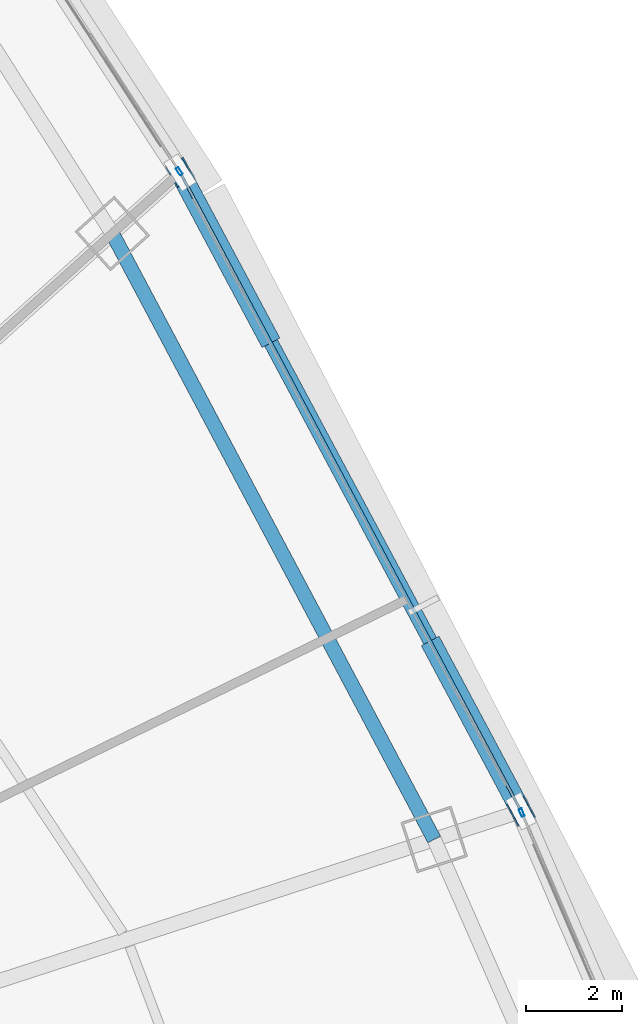
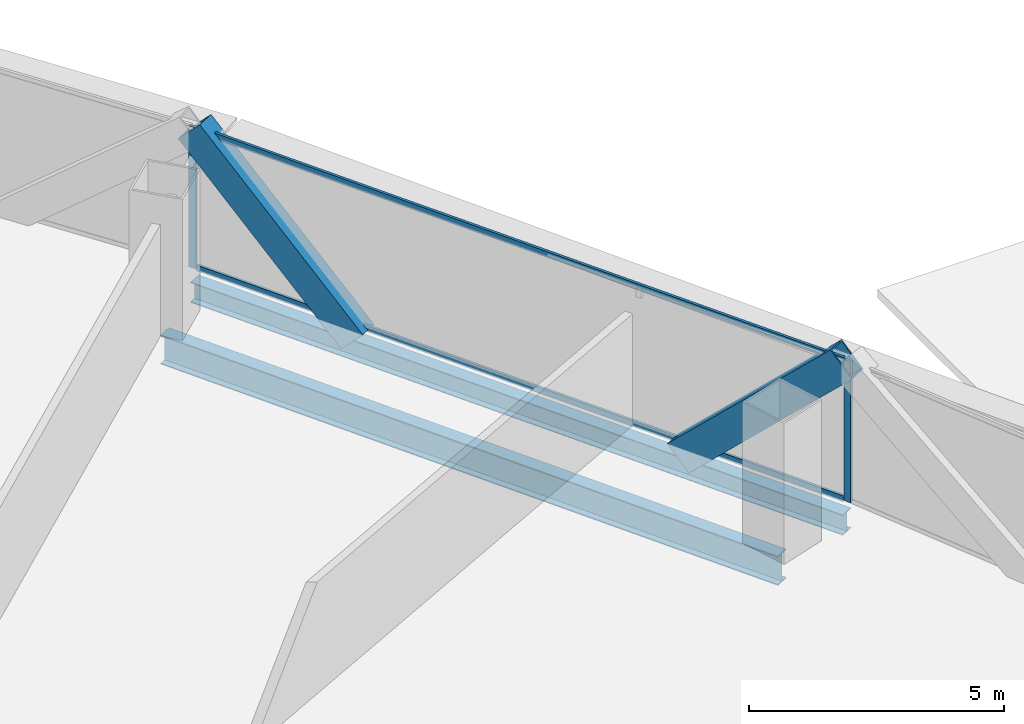
# One storey, part 23 of 38: 6 members, 2 beams, 3 elements without a shape of their own.
"""IFC4 building model written with IfcOpenShell, lengths in metres."""

from ifc_helpers import new_model, si_unit, direction, frame, origin, origin_2d, place, context, subcontext, project, spatial, hollow_rectangle, i_section, extrude, source, transform, mapped, material, layer, layer_set, material_profile, profile_set, type_object, element, aggregate, save


model = new_model("IFC4")

# Units and contexts
model_context = context("Model", 3, precision=1e-05, world=origin(), true_north=direction((0.0, 1.0)))
body_context = subcontext(model_context, "Body", "Model", "MODEL_VIEW")
ifc_project = project(units=[si_unit("LENGTHUNIT", "METRE"), si_unit("AREAUNIT", "SQUARE_METRE"), si_unit("VOLUMEUNIT", "CUBIC_METRE"), si_unit("PLANEANGLEUNIT", "RADIAN"), si_unit("MASSUNIT", "GRAM", prefix="KILO"), si_unit("THERMODYNAMICTEMPERATUREUNIT", "KELVIN"), si_unit("POWERUNIT", "WATT")], contexts=[model_context])

# Site, building, storey
site_placement = place(None, origin())
site = spatial("IfcSite", under=ifc_project, at=site_placement, CompositionType="ELEMENT")
building_placement = place(site_placement, origin())
building = spatial("IfcBuilding", under=site, at=building_placement, Name="Yunzhuo Pagoda Commons", CompositionType="ELEMENT")
storey_placement = place(building_placement, frame((0.0, 0.0, 30.39990234375)))
storey = spatial("IfcBuildingStorey", under=building, at=storey_placement, Name="L07", CompositionType="ELEMENT", Elevation=30.39990234375)

# Beams
ifc_material_1 = material(Name="Structural steel Q355B", Category="steel")
ifc_material_profile_1 = material_profile(ifc_material_1, i_section(OverallWidth=0.300048828125, OverallDepth=0.699951171875, WebThickness=0.012939453125, FlangeThickness=0.02392578125, at=origin_2d()), Name="Structural steel Q355B")
ifc_profile_set_1 = profile_set([ifc_material_profile_1], Name="Structural steel Q355B")
beam_type_1 = type_object("IfcBeamType", Name="B-RG1 Beam HN 700x300x13x24", PredefinedType="BEAM", material=ifc_profile_set_1)
shared_shape_1 = source(origin(), body_context, "Body", "SweptSolid", [
    extrude(i_section(OverallWidth=0.300048828125, OverallDepth=0.699951171875, WebThickness=0.012939453125, FlangeThickness=0.02392578125, at=origin_2d()), origin(), (0.0, 0.0, 1.0), 14.25390625),
])
beam_1_placement = place(storey_placement, frame((80.33544921875, 44.206298828125, -0.60986328125), z_axis=(-0.469118073628, 0.883135455633, 0.0), x_axis=(-0.883135455633, -0.469118073628, 0.0)))
element("IfcBeam", 1, at=beam_1_placement, inside=storey, type_object=beam_type_1, Name="L07 column-ring beam 6", PredefinedType="BEAM", context=body_context, shape_type="MappedRepresentation", body=[
    mapped(shared_shape_1, transform((0.0, 0.0, 0.0), scale=1.0)),
])
ifc_material_profile_2 = material_profile(ifc_material_1, i_section(OverallWidth=0.300048828125, OverallDepth=0.488037109375, WebThickness=0.010986328125, FlangeThickness=0.01806640625, at=origin_2d()), Name="Structural steel Q355B")
ifc_profile_set_2 = profile_set([ifc_material_profile_2], Name="Structural steel Q355B")
beam_type_2 = type_object("IfcBeamType", Name="B-SP1 Beam HM 488x300x11x18", PredefinedType="BEAM", material=ifc_profile_set_2)
shared_shape_2 = source(origin(), body_context, "Body", "SweptSolid", [
    extrude(i_section(OverallWidth=0.300048828125, OverallDepth=0.488037109375, WebThickness=0.010986328125, FlangeThickness=0.01806640625, at=origin_2d()), origin(), (0.0, 0.0, 1.0), 15.04150390625),
])
beam_2_placement = place(storey_placement, frame((82.140625, 44.79296875, -0.50390625), z_axis=(-0.470965610657, 0.882151570637, 0.0), x_axis=(-0.882151570637, -0.470965610657, 0.0)))
element("IfcBeam", 2, at=beam_2_placement, inside=storey, type_object=beam_type_2, Name="L07 facade edge spandrel beam F2.2", PredefinedType="BEAM", context=body_context, shape_type="MappedRepresentation", body=[
    mapped(shared_shape_2, transform((0.0, 0.0, 0.0), scale=1.0)),
])

# Members
ifc_material_2 = material(Name="Structural steel Q420B", Category="steel")
ifc_material_profile_3 = material_profile(ifc_material_2, hollow_rectangle(XDim=0.419921875, YDim=0.719970703125, WallThickness=0.028076171875, at=origin_2d()), Name="Structural steel Q420B")
ifc_profile_set_3 = profile_set([ifc_material_profile_3], Name="Structural steel Q420B")
member_type_1 = type_object("IfcMemberType", Name="M-DL1 Brace BOX 720x420x28", PredefinedType="BRACE", material=ifc_profile_set_3)
shared_shape_3 = source(origin(), body_context, "Body", "SweptSolid", [
    extrude(hollow_rectangle(XDim=0.419921875, YDim=0.719970703125, WallThickness=0.028076171875, at=origin_2d()), origin(), (0.0, 0.0, 1.0), 5.226806640625),
])
for number, where, z_axis, x_axis, name in (
    (3, (80.36962890625, 48.110107421875, -0.260009765625), (0.338829943276, -0.634640534779, 0.69456868714), (0.882147970332, 0.47097235422, 0.0), "L07 facade diamond brace F2.2L"),
    (4, (76.827392578125, 54.744384765625, -0.260009765625), (-0.338778552227, 0.634678473412, 0.694559088875), (-0.882189341937, -0.470894855539, 0.0), "L07 facade diamond brace F2.2R"),
):
    element("IfcMember", number, at=place(storey_placement, frame(where, z_axis=z_axis, x_axis=x_axis)), inside=storey, type_object=member_type_1, Name=name, PredefinedType="BRACE", context=body_context, shape_type="MappedRepresentation", body=[
        mapped(shared_shape_3, transform((0.0, 0.0, 0.0), scale=1.0)),
    ])

# Curtain wall, member
ifc_material_3 = material(Name="Anodized aluminium 6063-T6", Category="aluminium")
ifc_layer = layer(ifc_material_3, 0.1650390625)
ifc_layer_set = layer_set([ifc_layer], Name="Anodized aluminium 6063-T6")
curtain_wall_type = type_object("IfcCurtainWallType", Name="CW-LOW Low-Zone Ribbon Curtain Wall", PredefinedType="NOTDEFINED", material=ifc_layer_set)
curtain_wall_1_placement = place(storey_placement, origin())
curtain_wall_1 = element("IfcCurtainWall", 5, at=curtain_wall_1_placement, inside=storey, type_object=curtain_wall_type, Name="L07 curtain wall CW-L07-F2B2", PredefinedType="NOTDEFINED")
ifc_material_profile_4 = material_profile(ifc_material_3, hollow_rectangle(XDim=0.06494140625, YDim=0.1650390625, WallThickness=0.00390625, at=origin_2d()), Name="Anodized aluminium 6063-T6")
ifc_profile_set_4 = profile_set([ifc_material_profile_4], Name="Anodized aluminium 6063-T6")
member_type_2 = type_object("IfcMemberType", Name="CW-LOW-M Mullion RHS 165x65x4", PredefinedType="MULLION", material=ifc_profile_set_4)
shared_shape_4 = source(origin(), body_context, "Body", "SweptSolid", [
    extrude(hollow_rectangle(XDim=0.06494140625, YDim=0.1650390625, WallThickness=0.00390625, at=origin_2d()), origin(), (0.0, 0.0, 1.0), 3.370361328125),
])
member_1_placement = place(storey_placement, frame((82.15380859375, 44.76318359375, 0.0), z_axis=(0.0, 0.0, 1.0), x_axis=(-0.918745212535, -0.394850901535, 0.0)))
member_1 = element("IfcMember", 6, at=member_1_placement, type_object=member_type_2, Name="CW mullion 2", PredefinedType="MULLION", context=body_context, shape_type="MappedRepresentation", body=[
    mapped(shared_shape_4, transform((0.0, 0.0, 0.0), scale=1.0)),
])
aggregate(curtain_wall_1, [member_1])

curtain_wall_2_placement = place(storey_placement, origin())
curtain_wall_2 = element("IfcCurtainWall", 7, at=curtain_wall_2_placement, inside=storey, type_object=curtain_wall_type, Name="L07 curtain wall CW-L07-F2B4", PredefinedType="NOTDEFINED")
member_2_placement = place(storey_placement, frame((75.038818359375, 58.0888671875, 0.0), z_axis=(0.0, 0.0, 1.0), x_axis=(-0.83865240069, -0.544667009114, 0.0)))
member_2 = element("IfcMember", 8, at=member_2_placement, type_object=member_type_2, Name="CW mullion 1", PredefinedType="MULLION", context=body_context, shape_type="MappedRepresentation", body=[
    mapped(shared_shape_4, transform((0.0, 0.0, 0.0), scale=1.0)),
])
aggregate(curtain_wall_2, [member_2])

# Curtain wall, members
curtain_wall_3_placement = place(storey_placement, origin())
curtain_wall_3 = element("IfcCurtainWall", 9, at=curtain_wall_3_placement, inside=storey, type_object=curtain_wall_type, Name="L07 curtain wall CW-L07-F2B3", PredefinedType="NOTDEFINED")
ifc_material_profile_5 = material_profile(ifc_material_3, hollow_rectangle(XDim=0.06005859375, YDim=0.139892578125, WallThickness=0.00341796875, at=origin_2d()), Name="Anodized aluminium 6063-T6")
ifc_profile_set_5 = profile_set([ifc_material_profile_5], Name="Anodized aluminium 6063-T6")
member_type_3 = type_object("IfcMemberType", Name="CW-LOW-T Transom RHS 140x60x3.5", PredefinedType="USERDEFINED", material=ifc_profile_set_5)
shared_shape_5 = source(origin(), body_context, "Body", "SweptSolid", [
    extrude(hollow_rectangle(XDim=0.06005859375, YDim=0.139892578125, WallThickness=0.00341796875, at=origin_2d()), origin(), (0.0, 0.0, 1.0), 14.911865234375),
])
member_3_placement = place(storey_placement, frame((82.110107421875, 44.850341796875, 0.030029296875), z_axis=(-0.470983333873, 0.882142108287, 0.0), x_axis=(-0.882142108287, -0.470983333873, 0.0)))
member_3 = element("IfcMember", 10, at=member_3_placement, type_object=member_type_3, Name="CW transom 1.1", ObjectType="TRANSOM", PredefinedType="USERDEFINED", context=body_context, shape_type="MappedRepresentation", body=[
    mapped(shared_shape_5, transform((0.0, 0.0, 0.0), scale=1.0)),
])
member_4_placement = place(storey_placement, frame((82.110107421875, 44.850341796875, 3.340087890625), z_axis=(-0.470983333873, 0.882142108287, 0.0), x_axis=(-0.882142108287, -0.470983333873, 0.0)))
member_4 = element("IfcMember", 11, at=member_4_placement, type_object=member_type_3, Name="CW transom 1.2", ObjectType="TRANSOM", PredefinedType="USERDEFINED", context=body_context, shape_type="MappedRepresentation", body=[
    mapped(shared_shape_5, transform((0.0, 0.0, 0.0), scale=1.0)),
])
aggregate(curtain_wall_3, [member_3, member_4])

save(model, "model.ifc")
